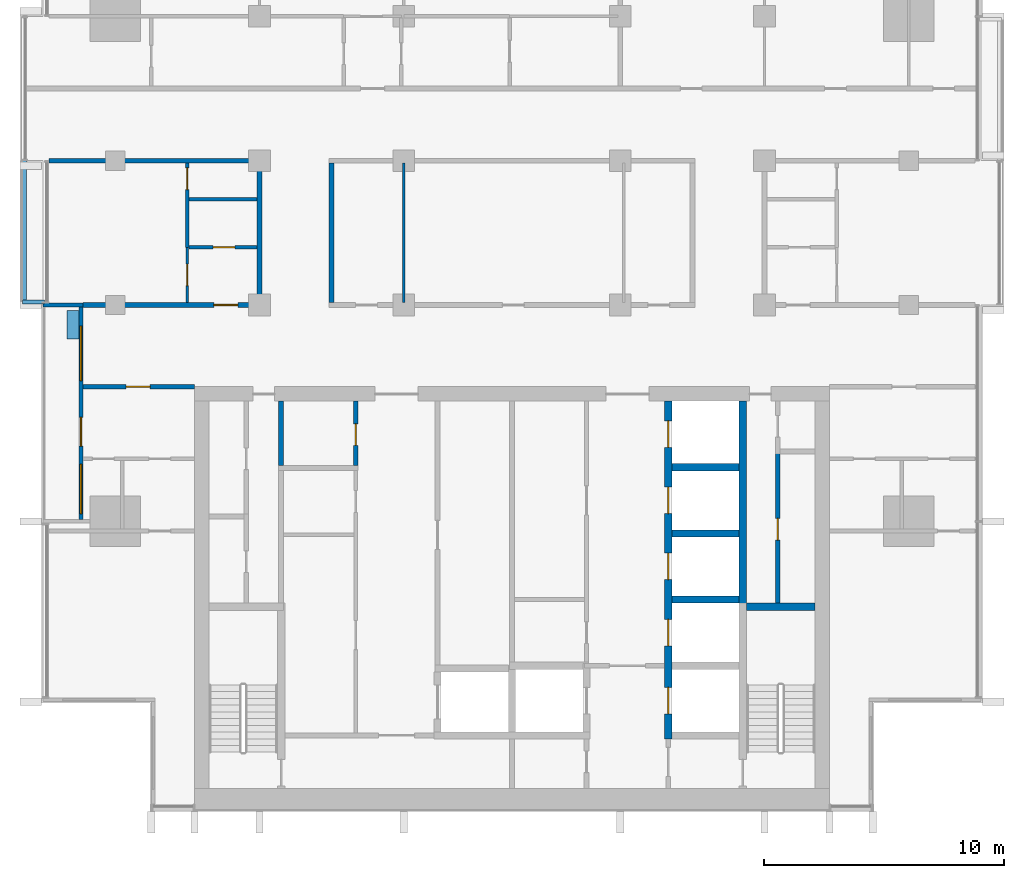
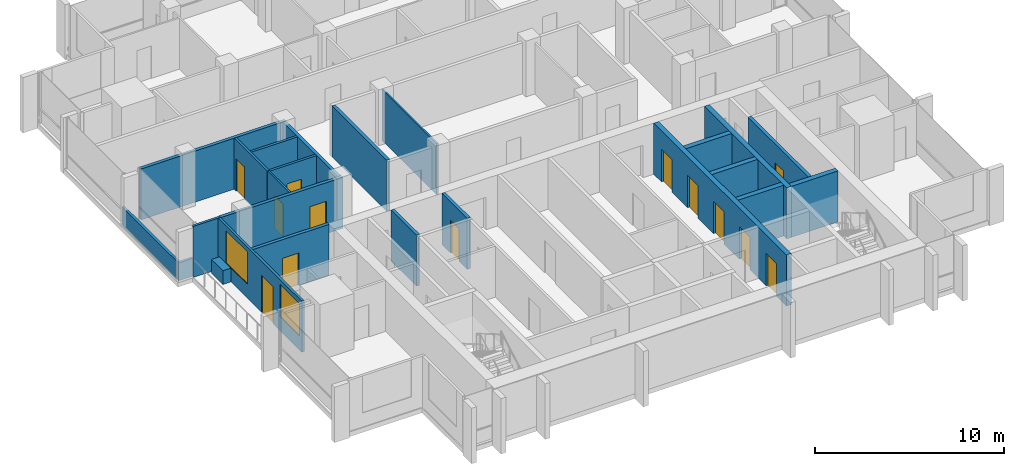
# One storey, part 8 of 16: 24 walls, 13 doors, 2 windows, 15 openings.
"""IFC4 building model written with IfcOpenShell, lengths in metres."""

import ifcopenshell
import ifcopenshell.guid

model = None  # the IFC model being written
_history = None  # IfcOwnerHistory: only IFC2X3 demands one
_inside = {}  # id of a spatial element -> (the spatial element, [elements in it])
_under = {}  # id of a project, library or spatial element -> (it, [spatial elements below it])
_declared = {}  # id of a project -> (the project, [libraries it declares])
_typed = {}  # id of a type object -> (the type object, [elements of that type])
_made_of = {}  # id of a material, layer set ... -> (it, [elements and type objects made of it])


def new_model(schema):
    """Start an empty IFC model of exactly this schema.

    Asked for "IFC4X3", IfcOpenShell would pick the latest addendum, in which some entities
    have other attributes; the version numbers below select the first issue.
    IFC2X3 requires an IfcOwnerHistory on every rooted entity: one is made here for all.
    """
    global model, _history
    if schema == "IFC4X3":
        model = ifcopenshell.file(schema_version=(4, 3, 0, 0))
    else:
        model = ifcopenshell.file(schema=schema)
    _inside.clear()
    _under.clear()
    _declared.clear()
    _typed.clear()
    _made_of.clear()
    _history = None
    if model.schema == "IFC2X3":
        org = make("IfcOrganization", Name="unknown")
        user = make(
            "IfcPersonAndOrganization",
            ThePerson=make("IfcPerson", FamilyName="unknown"),
            TheOrganization=org,
        )
        app = make(
            "IfcApplication",
            ApplicationDeveloper=org,
            Version="unknown",
            ApplicationFullName="unknown",
            ApplicationIdentifier="unknown",
        )
        _history = make(
            "IfcOwnerHistory",
            OwningUser=user,
            OwningApplication=app,
            ChangeAction="ADDED",
            CreationDate=0,
        )
    return model


def make(cls, **values):
    """One entity of the class cls with the attributes given. An attribute that is None is left unset."""
    return model.create_entity(
        cls, **{name: value for name, value in values.items() if value is not None}
    )


def rooted(cls, **values):
    """An entity with a GlobalId (a new one), such as an element, a storey or a relation."""
    return make(cls, GlobalId=ifcopenshell.guid.new(), OwnerHistory=_history, **values)


def si_unit(unit_type, name, prefix=None):
    """IfcSIUnit, for example si_unit("LENGTHUNIT", "METRE", prefix="MILLI")."""
    return make("IfcSIUnit", UnitType=unit_type, Prefix=prefix, Name=name)


def assignment(units):
    """IfcUnitAssignment: the units of a project."""
    return None if units is None else make("IfcUnitAssignment", Units=units)


def point(xyz):
    """IfcCartesianPoint."""
    return None if xyz is None else make("IfcCartesianPoint", Coordinates=xyz)


def direction(xyz):
    """IfcDirection."""
    return None if xyz is None else make("IfcDirection", DirectionRatios=xyz)


def frame(location, z_axis=None, x_axis=None):
    """IfcAxis2Placement3D, a coordinate frame: its origin and axes. An axis left out is left unset."""
    return make(
        "IfcAxis2Placement3D",
        Location=point(location),
        Axis=direction(z_axis),
        RefDirection=direction(x_axis),
    )


def frame_2d(location, x_axis=None):
    """IfcAxis2Placement2D, a coordinate frame in the plane: its origin and x axis."""
    return make(
        "IfcAxis2Placement2D", Location=point(location), RefDirection=direction(x_axis)
    )


def origin():
    """The frame at (0, 0, 0) with its axes left unset."""
    return frame((0.0, 0.0, 0.0))


def place(relative_to, where):
    """IfcLocalPlacement: puts the frame where relative to a parent placement (None: the world)."""
    return make(
        "IfcLocalPlacement", PlacementRelTo=relative_to, RelativePlacement=where
    )


def context(
    kind, dimensions, precision=None, world=None, true_north=None, identifier=None
):
    """IfcGeometricRepresentationContext, for example the 3D "Model" context."""
    return make(
        "IfcGeometricRepresentationContext",
        ContextIdentifier=identifier,
        ContextType=kind,
        CoordinateSpaceDimension=dimensions,
        Precision=precision,
        WorldCoordinateSystem=world,
        TrueNorth=true_north,
    )


def subcontext(parent, identifier, kind, view, scale=None):
    """IfcGeometricRepresentationSubContext, for example "Body" below "Model"."""
    return make(
        "IfcGeometricRepresentationSubContext",
        ContextIdentifier=identifier,
        ContextType=kind,
        ParentContext=parent,
        TargetScale=scale,
        TargetView=view,
    )


def project(units=None, contexts=None):
    """IfcProject with its units and contexts."""
    return rooted(
        "IfcProject",
        Name="project",
        RepresentationContexts=contexts,
        UnitsInContext=assignment(units),
    )


def spatial(cls, under=None, at=None, **own):
    """A site, building, storey or space (cls), placed at a placement, below another one or the project."""
    s = rooted(cls, ObjectPlacement=at, **own)
    if under is not None:
        _under.setdefault(under.id(), (under, []))[1].append(s)
    return s


def profile(cls, at=None, kind="AREA", **sizes):
    """A parametric profile (cls). Its sizes go by their IFC names, for example OverallWidth=200.0."""
    return make(cls, ProfileType=kind, Position=at, **sizes)


def rectangle(**sizes):
    """IfcRectangleProfileDef."""
    return profile("IfcRectangleProfileDef", **sizes)


def extrude(swept, where, along, depth):
    """IfcExtrudedAreaSolid: the profile swept, set in the frame where, extruded along a direction by depth."""
    return make(
        "IfcExtrudedAreaSolid",
        SweptArea=swept,
        Position=where,
        ExtrudedDirection=direction(along),
        Depth=depth,
    )


def shape(context_of_items, identifier, shape_type, items):
    """IfcShapeRepresentation: the items that make up one representation, for example the "Body"."""
    return make(
        "IfcShapeRepresentation",
        ContextOfItems=context_of_items,
        RepresentationIdentifier=identifier,
        RepresentationType=shape_type,
        Items=items,
    )


def material(Name=None, Category=None):
    """IfcMaterial."""
    return make("IfcMaterial", Name=Name, Category=Category)


def layer(
    of_material, thickness, ventilated=None, Name=None, Category=None, Priority=None
):
    """IfcMaterialLayer: one layer of a wall or slab, of a material (None: an air gap)."""
    return make(
        "IfcMaterialLayer",
        Material=of_material,
        LayerThickness=thickness,
        IsVentilated=ventilated,
        Name=Name,
        Category=Category,
        Priority=Priority,
    )


def layer_set(layers, Name=None):
    """IfcMaterialLayerSet."""
    return make("IfcMaterialLayerSet", MaterialLayers=layers, LayerSetName=Name)


def made_of(thing, what):
    """Note that an element or type object is made of a material, layer set ...; save() writes the relation."""
    if what is not None:
        _made_of.setdefault(what.id(), (what, []))[1].append(thing)
    return thing


def type_object(cls, material=None, **own):
    """A type object (cls), such as IfcWallType, which elements share."""
    return made_of(rooted(cls, **own), material)


def element(
    cls,
    number,
    at=None,
    inside=None,
    cuts=None,
    type_object=None,
    material=None,
    context=None,
    identifier="Body",
    shape_type=None,
    held_by="IfcProductDefinitionShape",
    body=None,
    shapes=None,
    **own,
):
    """One element of the class cls, such as IfcWall. Its Tag is "e" and its number.

    at: its placement. inside: the storey or other place that contains it. cuts: it is an
    opening in that element (IfcRelVoidsElement). A single representation is given by context,
    identifier, shape_type and body (its items); several are given by shapes. held_by: the class
    of the entity that holds the representations. save() writes the other relations.
    """
    e = rooted(cls, Tag="e%d" % number, ObjectPlacement=at, **own)
    if body is not None:
        shapes = [shape(context, identifier, shape_type, body)]
    if shapes is not None:
        e.Representation = make(held_by, Representations=shapes)
    if inside is not None:
        _inside.setdefault(inside.id(), (inside, []))[1].append(e)
    if cuts is not None:
        rooted(
            "IfcRelVoidsElement", RelatingBuildingElement=cuts, RelatedOpeningElement=e
        )
    if type_object is not None:
        _typed.setdefault(type_object.id(), (type_object, []))[1].append(e)
    return made_of(e, material)


def fill(opening, filler):
    """IfcRelFillsElement: the door or window that sits in an opening."""
    return rooted(
        "IfcRelFillsElement",
        RelatingOpeningElement=opening,
        RelatedBuildingElement=filler,
    )


def aggregate(whole, parts):
    """IfcRelAggregates: a whole, such as a stair, and the parts it consists of."""
    return rooted("IfcRelAggregates", RelatingObject=whole, RelatedObjects=parts)


def save(model, path):
    """Write the relations noted so far, then the file.

    IfcRelAggregates (storeys below a building ...), IfcRelContainedInSpatialStructure (elements
    in a storey), IfcRelDefinesByType, IfcRelAssociatesMaterial and IfcRelDeclares: one each for
    every whole, place, type object, material and project.
    """
    for whole, parts in _under.values():
        aggregate(whole, parts)
    for where, things in _inside.values():
        rooted(
            "IfcRelContainedInSpatialStructure",
            RelatedElements=things,
            RelatingStructure=where,
        )
    for kind, things in _typed.values():
        rooted("IfcRelDefinesByType", RelatedObjects=things, RelatingType=kind)
    for what, things in _made_of.values():
        rooted("IfcRelAssociatesMaterial", RelatedObjects=things, RelatingMaterial=what)
    for by, libraries in _declared.values():
        rooted("IfcRelDeclares", RelatingContext=by, RelatedDefinitions=libraries)
    model.write(path)


model = new_model("IFC4")

# Units and contexts
model_context = context("Model", 3, precision=1e-05, world=origin(), true_north=direction((0.0, 1.0)))
body_context = subcontext(model_context, "Body", "Model", "MODEL_VIEW")
ifc_project = project(units=[si_unit("LENGTHUNIT", "METRE"), si_unit("AREAUNIT", "SQUARE_METRE"), si_unit("VOLUMEUNIT", "CUBIC_METRE"), si_unit("PLANEANGLEUNIT", "RADIAN"), si_unit("MASSUNIT", "GRAM", prefix="KILO")], contexts=[model_context])

# Site, building, storey
site_placement = place(None, origin())
site = spatial("IfcSite", under=ifc_project, at=site_placement, CompositionType="ELEMENT")
building_placement = place(site_placement, origin())
building = spatial("IfcBuilding", under=site, at=building_placement, Name="Finial Court Residences", CompositionType="ELEMENT")
storey_placement = place(building_placement, frame((0.0, 0.0, 230.300048828125)))
storey = spatial("IfcBuildingStorey", under=building, at=storey_placement, Name="L58", CompositionType="ELEMENT", Elevation=230.300048828125)

# Wall, opening, door
ifc_material_1 = material(Name="Gypsum board")
ifc_layer_1 = layer(ifc_material_1, 0.02490234375)
ifc_material_2 = material(Name="Acoustic mineral wool in double frame")
ifc_layer_2 = layer(ifc_material_2, 0.14990234375)
ifc_layer_3 = layer(ifc_material_1, 0.02490234375)
ifc_layer_set_1 = layer_set([ifc_layer_1, ifc_layer_2, ifc_layer_3], Name="Corridor wall 200, 1 hour")
wall_type_1 = type_object("IfcWallType", Name="Corridor wall 200, 1 hour", PredefinedType="PARTITIONING", material=ifc_layer_set_1)
wall_1_placement = place(storey_placement, frame((-17.85009765625, -7.89990234375, 0.0), z_axis=(0.0, 0.0, 1.0), x_axis=(1.0, 0.0, 0.0)))
wall_1 = element("IfcWall", 1, at=wall_1_placement, inside=storey, type_object=wall_type_1, Name="Partition L58-004", PredefinedType="PARTITIONING", context=body_context, shape_type="SweptSolid", body=[
    extrude(rectangle(XDim=4.650146484375, YDim=0.199951171875, at=frame_2d((2.3251953125, 0.0))), origin(), (0.0, 0.0, 1.0), 3.300048828125),
])
opening_1_placement = place(wall_1_placement, frame((1.800048828125, 0.0, 0.0)))
opening_1 = element("IfcOpeningElement", 2, at=opening_1_placement, cuts=wall_1, Name="Opening L58-D007", PredefinedType="OPENING", context=body_context, shape_type="SweptSolid", body=[
    extrude(rectangle(XDim=1.0, YDim=2.10009765625, at=frame_2d((0.5, 1.050048828125))), frame((0.0, 0.10986328125, 0.0), z_axis=(0.0, -1.0, 0.0), x_axis=(1.0, 0.0, 0.0)), (0.0, 0.0, 1.0), 0.219970703125),
])
ifc_material_3 = material(Name="Timber door leaf in hollow metal frame", Category="wood")
door_type_1 = type_object("IfcDoorType", Name="Fire door set 1000 x 2100, 30 minutes", OperationType="SINGLE_SWING_LEFT", PredefinedType="DOOR", material=ifc_material_3)
door_1_placement = place(opening_1_placement, origin())
door_1 = element("IfcDoor", 3, at=door_1_placement, inside=storey, type_object=door_type_1, Name="Door L58-D007", OperationType="SINGLE_SWING_LEFT", OverallHeight=2.10009765625, OverallWidth=1.0, PredefinedType="DOOR", context=body_context, shape_type="SweptSolid", body=[
    extrude(rectangle(XDim=1.0, YDim=2.10009765625, at=frame_2d((0.5, 1.050048828125))), frame((0.0, 0.02490234375, 0.0), z_axis=(0.0, -1.0, 0.0), x_axis=(1.0, 0.0, 0.0)), (0.0, 0.0, 1.0), 0.050048828125),
])
fill(opening_1, door_1)

wall_2_placement = place(storey_placement, frame((-17.85009765625, -4.5, 0.0), z_axis=(0.0, 0.0, 1.0), x_axis=(1.0, 0.0, 0.0)))
wall_2 = element("IfcWall", 4, at=wall_2_placement, inside=storey, type_object=wall_type_1, Name="Partition L58-006", PredefinedType="PARTITIONING", context=body_context, shape_type="SweptSolid", body=[
    extrude(rectangle(XDim=7.4501953125, YDim=0.199951171875, at=frame_2d((3.72509765625, 0.0))), origin(), (0.0, 0.0, 1.0), 3.300048828125),
])
opening_2_placement = place(wall_2_placement, frame((5.449951171875, 0.0, 0.0)))
opening_2 = element("IfcOpeningElement", 5, at=opening_2_placement, cuts=wall_2, Name="Opening L58-D009", PredefinedType="OPENING", context=body_context, shape_type="SweptSolid", body=[
    extrude(rectangle(XDim=1.0, YDim=2.10009765625, at=frame_2d((0.5, 1.050048828125))), frame((0.0, 0.10986328125, 0.0), z_axis=(0.0, -1.0, 0.0), x_axis=(1.0, 0.0, 0.0)), (0.0, 0.0, 1.0), 0.219970703125),
])
door_2_placement = place(opening_2_placement, origin())
door_2 = element("IfcDoor", 6, at=door_2_placement, inside=storey, type_object=door_type_1, Name="Door L58-D009", OperationType="SINGLE_SWING_LEFT", OverallHeight=2.10009765625, OverallWidth=1.0, PredefinedType="DOOR", context=body_context, shape_type="SweptSolid", body=[
    extrude(rectangle(XDim=1.0, YDim=2.10009765625, at=frame_2d((0.5, 1.050048828125))), frame((0.0, 0.02490234375, 0.0), z_axis=(0.0, -1.0, 0.0), x_axis=(1.0, 0.0, 0.0)), (0.0, 0.0, 1.0), 0.050048828125),
])
fill(opening_2, door_2)

# Walls
wall_3_placement = place(storey_placement, frame((-19.262451171875, 1.5, 0.0), z_axis=(0.0, 0.0, 1.0), x_axis=(1.0, 0.0, 0.0)))
element("IfcWall", 7, at=wall_3_placement, inside=storey, type_object=wall_type_1, Name="Partition L58-013", PredefinedType="PARTITIONING", context=body_context, shape_type="SweptSolid", body=[
    extrude(rectangle(XDim=8.862548828125, YDim=0.199951171875, at=frame_2d((4.43115234375, 0.0))), origin(), (0.0, 0.0, 1.0), 3.300048828125),
])
for number, where, z_axis, x_axis, name in (
    (8, (-10.5, -4.39990234375, 0.0), (0.0, 0.0, 1.0), (0.0, 1.0, 0.0), "Partition L58-027"),
    (9, (-7.5, -4.39990234375, 0.0), (0.0, 0.0, 1.0), (0.0, 1.0, 0.0), "Partition L58-029"),
):
    element("IfcWall", number, at=place(storey_placement, frame(where, z_axis=z_axis, x_axis=x_axis)), inside=storey, type_object=wall_type_1, Name=name, PredefinedType="PARTITIONING", context=body_context, shape_type="SweptSolid", body=[
        extrude(rectangle(XDim=5.7998046875, YDim=0.199951171875, at=frame_2d((2.89990234375, 0.0))), origin(), (0.0, 0.0, 1.0), 3.300048828125),
    ])

# Wall, opening, door
ifc_layer_4 = layer(ifc_material_1, 0.012451171875)
ifc_material_4 = material(Name="Mineral wool in light-gauge frame")
ifc_layer_5 = layer(ifc_material_4, 0.074951171875)
ifc_layer_6 = layer(ifc_material_1, 0.012451171875)
ifc_layer_set_2 = layer_set([ifc_layer_4, ifc_layer_5, ifc_layer_6], Name="Gypsum board partition 100")
wall_type_2 = type_object("IfcWallType", Name="Gypsum board partition 100", PredefinedType="PARTITIONING", material=ifc_layer_set_2)
wall_4_placement = place(storey_placement, frame((-13.5, -4.39990234375, 0.0), z_axis=(0.0, 0.0, 1.0), x_axis=(0.0, 1.0, 0.0)))
wall_4 = element("IfcWall", 10, at=wall_4_placement, inside=storey, type_object=wall_type_2, Name="Partition L58-025", PredefinedType="PARTITIONING", context=body_context, shape_type="SweptSolid", body=[
    extrude(rectangle(XDim=2.2998046875, YDim=0.10009765625, at=frame_2d((1.14990234375, 0.0))), origin(), (0.0, 0.0, 1.0), 3.300048828125),
])
opening_3_placement = place(wall_4_placement, frame((0.699951171875, 0.0, 0.0)))
opening_3 = element("IfcOpeningElement", 11, at=opening_3_placement, cuts=wall_4, Name="Opening L58-D024", PredefinedType="OPENING", context=body_context, shape_type="SweptSolid", body=[
    extrude(rectangle(XDim=0.89990234375, YDim=2.10009765625, at=frame_2d((0.449951171875, 1.050048828125))), frame((0.0, 0.06005859375, 0.0), z_axis=(0.0, -1.0, 0.0), x_axis=(1.0, 0.0, 0.0)), (0.0, 0.0, 1.0), 0.1201171875),
])
ifc_material_5 = material(Name="Timber door leaf in timber frame", Category="wood")
door_type_2 = type_object("IfcDoorType", Name="Door set 900 x 2100", OperationType="SINGLE_SWING_LEFT", PredefinedType="DOOR", material=ifc_material_5)
door_3_placement = place(opening_3_placement, origin())
door_3 = element("IfcDoor", 12, at=door_3_placement, inside=storey, type_object=door_type_2, Name="Door L58-D024", OperationType="SINGLE_SWING_RIGHT", OverallHeight=2.10009765625, OverallWidth=0.89990234375, PredefinedType="DOOR", context=body_context, shape_type="SweptSolid", body=[
    extrude(rectangle(XDim=0.89990234375, YDim=2.10009765625, at=frame_2d((0.449951171875, 1.050048828125))), frame((0.0, 0.02490234375, 0.0), z_axis=(0.0, -1.0, 0.0), x_axis=(1.0, 0.0, 0.0)), (0.0, 0.0, 1.0), 0.050048828125),
])
fill(opening_3, door_3)

# Wall
wall_5_placement = place(storey_placement, frame((-4.5, -4.39990234375, 0.0), z_axis=(0.0, 0.0, 1.0), x_axis=(0.0, 1.0, 0.0)))
element("IfcWall", 13, at=wall_5_placement, inside=storey, type_object=wall_type_2, Name="Partition L58-032", PredefinedType="PARTITIONING", context=body_context, shape_type="SweptSolid", body=[
    extrude(rectangle(XDim=5.7998046875, YDim=0.10009765625, at=frame_2d((2.89990234375, 0.0))), origin(), (0.0, 0.0, 1.0), 3.300048828125),
])

# Wall, opening, door
ifc_material_6 = material(Name="Moisture-resistant gypsum board")
ifc_layer_7 = layer(ifc_material_6, 0.012451171875)
ifc_layer_8 = layer(ifc_material_4, 0.125)
ifc_layer_9 = layer(ifc_material_6, 0.012451171875)
ifc_layer_set_3 = layer_set([ifc_layer_7, ifc_layer_8, ifc_layer_9], Name="Gypsum board wet-area partition 150")
wall_type_3 = type_object("IfcWallType", Name="Gypsum board wet-area partition 150", PredefinedType="PARTITIONING", material=ifc_layer_set_3)
wall_6_placement = place(storey_placement, frame((-13.425048828125, -2.10009765625, 0.0), z_axis=(0.0, 0.0, 1.0), x_axis=(1.0, 0.0, 0.0)))
wall_6 = element("IfcWall", 14, at=wall_6_placement, inside=storey, type_object=wall_type_3, Name="Partition L58-009", PredefinedType="PARTITIONING", context=body_context, shape_type="SweptSolid", body=[
    extrude(rectangle(XDim=2.824951171875, YDim=0.14990234375, at=frame_2d((1.41259765625, 0.0))), origin(), (0.0, 0.0, 1.0), 3.300048828125),
])
opening_4_placement = place(wall_6_placement, frame((1.0, 0.0, 0.0)))
opening_4 = element("IfcOpeningElement", 15, at=opening_4_placement, cuts=wall_6, Name="Opening L58-D014", PredefinedType="OPENING", context=body_context, shape_type="SweptSolid", body=[
    extrude(rectangle(XDim=0.89990234375, YDim=2.10009765625, at=frame_2d((0.449951171875, 1.050048828125))), frame((0.0, 0.0849609375, 0.0), z_axis=(0.0, -1.0, 0.0), x_axis=(1.0, 0.0, 0.0)), (0.0, 0.0, 1.0), 0.169921875),
])
door_4_placement = place(opening_4_placement, origin())
door_4 = element("IfcDoor", 16, at=door_4_placement, inside=storey, type_object=door_type_2, Name="Door L58-D014", OperationType="SINGLE_SWING_RIGHT", OverallHeight=2.10009765625, OverallWidth=0.89990234375, PredefinedType="DOOR", context=body_context, shape_type="SweptSolid", body=[
    extrude(rectangle(XDim=0.89990234375, YDim=2.10009765625, at=frame_2d((0.449951171875, 1.050048828125))), frame((0.0, 0.02490234375, 0.0), z_axis=(0.0, -1.0, 0.0), x_axis=(1.0, 0.0, 0.0)), (0.0, 0.0, 1.0), 0.050048828125),
])
fill(opening_4, door_4)

# Wall
wall_7_placement = place(storey_placement, frame((-13.425048828125, -0.10009765625, 0.0), z_axis=(0.0, 0.0, 1.0), x_axis=(1.0, 0.0, 0.0)))
element("IfcWall", 17, at=wall_7_placement, inside=storey, type_object=wall_type_3, Name="Partition L58-011", PredefinedType="PARTITIONING", context=body_context, shape_type="SweptSolid", body=[
    extrude(rectangle(XDim=2.824951171875, YDim=0.14990234375, at=frame_2d((1.41259765625, 0.0))), origin(), (0.0, 0.0, 1.0), 3.300048828125),
])

# Wall, opening, door
wall_8_placement = place(storey_placement, frame((-13.5, -2.10009765625, 0.0), z_axis=(0.0, 0.0, 1.0), x_axis=(0.0, 1.0, 0.0)))
wall_8 = element("IfcWall", 18, at=wall_8_placement, inside=storey, type_object=wall_type_3, Name="Partition L58-026", PredefinedType="PARTITIONING", context=body_context, shape_type="SweptSolid", body=[
    extrude(rectangle(XDim=3.5, YDim=0.14990234375, at=frame_2d((1.75, 0.0))), origin(), (0.0, 0.0, 1.0), 3.300048828125),
])
opening_5_placement = place(wall_8_placement, frame((2.39990234375, 0.0, 0.0)))
opening_5 = element("IfcOpeningElement", 19, at=opening_5_placement, cuts=wall_8, Name="Opening L58-D025", PredefinedType="OPENING", context=body_context, shape_type="SweptSolid", body=[
    extrude(rectangle(XDim=0.89990234375, YDim=2.10009765625, at=frame_2d((0.449951171875, 1.050048828125))), frame((0.0, 0.0849609375, 0.0), z_axis=(0.0, -1.0, 0.0), x_axis=(1.0, 0.0, 0.0)), (0.0, 0.0, 1.0), 0.169921875),
])
door_5_placement = place(opening_5_placement, origin())
door_5 = element("IfcDoor", 20, at=door_5_placement, inside=storey, type_object=door_type_2, Name="Door L58-D025", OperationType="SINGLE_SWING_RIGHT", OverallHeight=2.10009765625, OverallWidth=0.89990234375, PredefinedType="DOOR", context=body_context, shape_type="SweptSolid", body=[
    extrude(rectangle(XDim=0.89990234375, YDim=2.10009765625, at=frame_2d((0.449951171875, 1.050048828125))), frame((0.0, 0.02490234375, 0.0), z_axis=(0.0, -1.0, 0.0), x_axis=(1.0, 0.0, 0.0)), (0.0, 0.0, 1.0), 0.050048828125),
])
fill(opening_5, door_5)

# Walls
ifc_material_7 = material(Name="Concrete C35/45", Category="concrete")
ifc_layer_10 = layer(ifc_material_7, 0.14990234375)
ifc_layer_set_4 = layer_set([ifc_layer_10], Name="Ledge parapet, Concrete C35/45 150")
wall_type_4 = type_object("IfcWallType", Name="Ledge parapet, Concrete C35/45 150", PredefinedType="PARAPET", material=ifc_layer_set_4)
wall_9_placement = place(storey_placement, frame((-19.447509765625, -4.375, 0.0), z_axis=(0.0, 0.0, 1.0), x_axis=(-1.0, 0.0, 0.0)))
element("IfcWall", 21, at=wall_9_placement, inside=storey, type_object=wall_type_4, Name="E-L58-LED1-P1", PredefinedType="PARAPET", context=body_context, shape_type="SweptSolid", body=[
    extrude(rectangle(XDim=0.902587890625, YDim=0.14990234375, at=frame_2d((0.451171875, 0.0))), origin(), (0.0, 0.0, 1.0), 1.14990234375),
])
wall_10_placement = place(storey_placement, frame((-20.27490234375, -4.300048828125, 0.0), z_axis=(0.0, 0.0, 1.0), x_axis=(0.0, 1.0, 0.0)))
element("IfcWall", 22, at=wall_10_placement, inside=storey, type_object=wall_type_4, Name="E-L58-LED1-P2", PredefinedType="PARAPET", context=body_context, shape_type="SweptSolid", body=[
    extrude(rectangle(XDim=5.8525390625, YDim=0.14990234375, at=frame_2d((2.92626953125, 0.0))), origin(), (0.0, 0.0, 1.0), 1.14990234375),
])
ifc_material_8 = material(Name="Concrete C60/75", Category="concrete")
ifc_layer_11 = layer(ifc_material_8, 0.300048828125)
ifc_layer_set_5 = layer_set([ifc_layer_11], Name="Lift shaft and stair wall 300 Concrete C60/75")
wall_type_5 = type_object("IfcWallType", Name="Lift shaft and stair wall 300 Concrete C60/75", PredefinedType="SHEAR", material=ifc_layer_set_5)
wall_11_placement = place(storey_placement, frame((9.75, -17.050048828125, 0.0), z_axis=(0.0, 0.0, 1.0), x_axis=(1.0, 0.0, 0.0)))
element("IfcWall", 23, at=wall_11_placement, inside=storey, type_object=wall_type_5, Name="Core wall L58-09", PredefinedType="SHEAR", context=body_context, shape_type="SweptSolid", body=[
    extrude(rectangle(XDim=2.85009765625, YDim=0.300048828125, at=frame_2d((1.425048828125, 0.0))), origin(), (0.0, 0.0, 1.0), 3.300048828125),
])
for number, where, z_axis, x_axis, name in (
    (24, (6.64990234375, -16.75, 0.0), (0.0, 0.0, 1.0), (1.0, 0.0, 0.0), "Core wall L58-11"),
    (25, (6.64990234375, -14.0, 0.0), (0.0, 0.0, 1.0), (1.0, 0.0, 0.0), "Core wall L58-13"),
    (26, (6.64990234375, -11.25, 0.0), (0.0, 0.0, 1.0), (1.0, 0.0, 0.0), "Core wall L58-16"),
):
    element("IfcWall", number, at=place(storey_placement, frame(where, z_axis=z_axis, x_axis=x_axis)), inside=storey, type_object=wall_type_5, Name=name, PredefinedType="SHEAR", context=body_context, shape_type="SweptSolid", body=[
        extrude(rectangle(XDim=2.800048828125, YDim=0.300048828125, at=frame_2d((1.39990234375, 0.0))), origin(), (0.0, 0.0, 1.0), 3.300048828125),
    ])

# Wall, openings, doors
wall_12_placement = place(storey_placement, frame((6.5, -22.550048828125, 0.0), z_axis=(0.0, 0.0, 1.0), x_axis=(0.0, 1.0, 0.0)))
wall_12 = element("IfcWall", 27, at=wall_12_placement, inside=storey, type_object=wall_type_5, Name="Core wall L58-34", PredefinedType="SHEAR", context=body_context, shape_type="SweptSolid", body=[
    extrude(rectangle(XDim=14.050048828125, YDim=0.300048828125, at=frame_2d((7.02490234375, 0.0))), origin(), (0.0, 0.0, 1.0), 3.300048828125),
])
opening_6_placement = place(wall_12_placement, frame((1.050048828125, 0.0, 0.0)))
opening_6 = element("IfcOpeningElement", 28, at=opening_6_placement, cuts=wall_12, Name="Opening L58-LD02", PredefinedType="OPENING", context=body_context, shape_type="SweptSolid", body=[
    extrude(rectangle(XDim=1.10009765625, YDim=2.10009765625, at=frame_2d((0.550048828125, 1.050048828125))), frame((0.0, 0.159912109375, 0.0), z_axis=(0.0, -1.0, 0.0), x_axis=(1.0, 0.0, 0.0)), (0.0, 0.0, 1.0), 0.320068359375),
])
opening_7_placement = place(wall_12_placement, frame((3.875, 0.0, 0.0)))
opening_7 = element("IfcOpeningElement", 29, at=opening_7_placement, cuts=wall_12, Name="Opening L58-LD03", PredefinedType="OPENING", context=body_context, shape_type="SweptSolid", body=[
    extrude(rectangle(XDim=1.10009765625, YDim=2.10009765625, at=frame_2d((0.550048828125, 1.050048828125))), frame((0.0, 0.159912109375, 0.0), z_axis=(0.0, -1.0, 0.0), x_axis=(1.0, 0.0, 0.0)), (0.0, 0.0, 1.0), 0.320068359375),
])
opening_8_placement = place(wall_12_placement, frame((6.625, 0.0, 0.0)))
opening_8 = element("IfcOpeningElement", 30, at=opening_8_placement, cuts=wall_12, Name="Opening L58-LD04", PredefinedType="OPENING", context=body_context, shape_type="SweptSolid", body=[
    extrude(rectangle(XDim=1.10009765625, YDim=2.10009765625, at=frame_2d((0.550048828125, 1.050048828125))), frame((0.0, 0.159912109375, 0.0), z_axis=(0.0, -1.0, 0.0), x_axis=(1.0, 0.0, 0.0)), (0.0, 0.0, 1.0), 0.320068359375),
])
opening_9_placement = place(wall_12_placement, frame((9.375, 0.0, 0.0)))
opening_9 = element("IfcOpeningElement", 31, at=opening_9_placement, cuts=wall_12, Name="Opening L58-LD05", PredefinedType="OPENING", context=body_context, shape_type="SweptSolid", body=[
    extrude(rectangle(XDim=1.10009765625, YDim=2.10009765625, at=frame_2d((0.550048828125, 1.050048828125))), frame((0.0, 0.159912109375, 0.0), z_axis=(0.0, -1.0, 0.0), x_axis=(1.0, 0.0, 0.0)), (0.0, 0.0, 1.0), 0.320068359375),
])
opening_10_placement = place(wall_12_placement, frame((12.125, 0.0, 0.0)))
opening_10 = element("IfcOpeningElement", 32, at=opening_10_placement, cuts=wall_12, Name="Opening L58-LD06", PredefinedType="OPENING", context=body_context, shape_type="SweptSolid", body=[
    extrude(rectangle(XDim=1.10009765625, YDim=2.10009765625, at=frame_2d((0.550048828125, 1.050048828125))), frame((0.0, 0.159912109375, 0.0), z_axis=(0.0, -1.0, 0.0), x_axis=(1.0, 0.0, 0.0)), (0.0, 0.0, 1.0), 0.320068359375),
])
ifc_material_9 = material(Name="Stainless steel lift door", Category="steel")
door_type_3 = type_object("IfcDoorType", Name="Lift landing door 1100 x 2100 EI 90", OperationType="DOUBLE_DOOR_SLIDING", PredefinedType="DOOR", material=ifc_material_9)
door_6_placement = place(opening_6_placement, origin())
door_6 = element("IfcDoor", 33, at=door_6_placement, inside=storey, type_object=door_type_3, Name="Lift landing door FF2 L58", OperationType="DOUBLE_DOOR_SLIDING", OverallHeight=2.10009765625, OverallWidth=1.10009765625, PredefinedType="DOOR", context=body_context, shape_type="SweptSolid", body=[
    extrude(rectangle(XDim=1.10009765625, YDim=2.10009765625, at=frame_2d((0.550048828125, 1.050048828125))), frame((0.0, 0.02490234375, 0.0), z_axis=(0.0, -1.0, 0.0), x_axis=(1.0, 0.0, 0.0)), (0.0, 0.0, 1.0), 0.050048828125),
])
fill(opening_6, door_6)
door_7_placement = place(opening_7_placement, origin())
door_7 = element("IfcDoor", 34, at=door_7_placement, inside=storey, type_object=door_type_3, Name="Lift landing door HR5 L58", OperationType="DOUBLE_DOOR_SLIDING", OverallHeight=2.10009765625, OverallWidth=1.10009765625, PredefinedType="DOOR", context=body_context, shape_type="SweptSolid", body=[
    extrude(rectangle(XDim=1.10009765625, YDim=2.10009765625, at=frame_2d((0.550048828125, 1.050048828125))), frame((0.0, 0.02490234375, 0.0), z_axis=(0.0, -1.0, 0.0), x_axis=(1.0, 0.0, 0.0)), (0.0, 0.0, 1.0), 0.050048828125),
])
fill(opening_7, door_7)
door_8_placement = place(opening_8_placement, origin())
door_8 = element("IfcDoor", 35, at=door_8_placement, inside=storey, type_object=door_type_3, Name="Lift landing door HR6 L58", OperationType="DOUBLE_DOOR_SLIDING", OverallHeight=2.10009765625, OverallWidth=1.10009765625, PredefinedType="DOOR", context=body_context, shape_type="SweptSolid", body=[
    extrude(rectangle(XDim=1.10009765625, YDim=2.10009765625, at=frame_2d((0.550048828125, 1.050048828125))), frame((0.0, 0.02490234375, 0.0), z_axis=(0.0, -1.0, 0.0), x_axis=(1.0, 0.0, 0.0)), (0.0, 0.0, 1.0), 0.050048828125),
])
fill(opening_8, door_8)
door_9_placement = place(opening_9_placement, origin())
door_9 = element("IfcDoor", 36, at=door_9_placement, inside=storey, type_object=door_type_3, Name="Lift landing door HR7 L58", OperationType="DOUBLE_DOOR_SLIDING", OverallHeight=2.10009765625, OverallWidth=1.10009765625, PredefinedType="DOOR", context=body_context, shape_type="SweptSolid", body=[
    extrude(rectangle(XDim=1.10009765625, YDim=2.10009765625, at=frame_2d((0.550048828125, 1.050048828125))), frame((0.0, 0.02490234375, 0.0), z_axis=(0.0, -1.0, 0.0), x_axis=(1.0, 0.0, 0.0)), (0.0, 0.0, 1.0), 0.050048828125),
])
fill(opening_9, door_9)
door_10_placement = place(opening_10_placement, origin())
door_10 = element("IfcDoor", 37, at=door_10_placement, inside=storey, type_object=door_type_3, Name="Lift landing door HR8 L58", OperationType="DOUBLE_DOOR_SLIDING", OverallHeight=2.10009765625, OverallWidth=1.10009765625, PredefinedType="DOOR", context=body_context, shape_type="SweptSolid", body=[
    extrude(rectangle(XDim=1.10009765625, YDim=2.10009765625, at=frame_2d((0.550048828125, 1.050048828125))), frame((0.0, 0.02490234375, 0.0), z_axis=(0.0, -1.0, 0.0), x_axis=(1.0, 0.0, 0.0)), (0.0, 0.0, 1.0), 0.050048828125),
])
fill(opening_10, door_10)

# Walls
wall_13_placement = place(storey_placement, frame((9.60009765625, -17.199951171875, 0.0), z_axis=(0.0, 0.0, 1.0), x_axis=(0.0, 1.0, 0.0)))
element("IfcWall", 38, at=wall_13_placement, inside=storey, type_object=wall_type_5, Name="Core wall L58-36", PredefinedType="SHEAR", context=body_context, shape_type="SweptSolid", body=[
    extrude(rectangle(XDim=8.699951171875, YDim=0.300048828125, at=frame_2d((4.35009765625, 0.0))), origin(), (0.0, 0.0, 1.0), 3.300048828125),
])
ifc_material_10 = material(Name="Natural limestone", Category="masonry")
ifc_layer_12 = layer(ifc_material_10, 0.14990234375)
ifc_layer_set_6 = layer_set([ifc_layer_12], Name="Limestone clad wall 150")
wall_type_6 = type_object("IfcWallType", Name="Limestone clad wall 150", PredefinedType="SOLIDWALL", material=ifc_layer_set_6)
wall_14_placement = place(storey_placement, frame((-17.85009765625, -4.5, 0.0), z_axis=(0.0, 0.0, 1.0), x_axis=(-1.0, 0.0, 0.0)))
element("IfcWall", 39, at=wall_14_placement, inside=storey, type_object=wall_type_6, Name="E-L58-BALW2-P2", PredefinedType="SOLIDWALL", context=body_context, shape_type="SweptSolid", body=[
    extrude(rectangle(XDim=1.64990234375, YDim=0.14990234375, at=frame_2d((0.824951171875, 0.0))), origin(), (0.0, 0.0, 1.0), 3.300048828125),
])

# Wall, openings, door, windows
wall_15_placement = place(storey_placement, frame((-17.925048828125, -13.425048828125, 0.0), z_axis=(0.0, 0.0, 1.0), x_axis=(0.0, 1.0, 0.0)))
wall_15 = element("IfcWall", 40, at=wall_15_placement, inside=storey, type_object=wall_type_6, Name="E-L58-L58-BALW2-W", PredefinedType="SOLIDWALL", context=body_context, shape_type="SweptSolid", body=[
    extrude(rectangle(XDim=8.85009765625, YDim=0.14990234375, at=frame_2d((4.425048828125, 0.0))), origin(), (0.0, 0.0, 1.0), 3.300048828125),
])
opening_11_placement = place(wall_15_placement, frame((3.050048828125, 0.0, 0.0)))
opening_11 = element("IfcOpeningElement", 41, at=opening_11_placement, cuts=wall_15, Name="Opening DE58-02", PredefinedType="OPENING", context=body_context, shape_type="SweptSolid", body=[
    extrude(rectangle(XDim=1.199951171875, YDim=2.39990234375, at=frame_2d((0.60009765625, 1.199951171875))), frame((0.0, 0.0849609375, 0.0), z_axis=(0.0, -1.0, 0.0), x_axis=(1.0, 0.0, 0.0)), (0.0, 0.0, 1.0), 0.169921875),
])
opening_12_placement = place(wall_15_placement, frame((0.25, 0.0, 0.89990234375)))
opening_12 = element("IfcOpeningElement", 42, at=opening_12_placement, cuts=wall_15, Name="Opening WE58-11", PredefinedType="OPENING", context=body_context, shape_type="SweptSolid", body=[
    extrude(rectangle(XDim=2.050048828125, YDim=2.10009765625, at=frame_2d((1.02490234375, 1.050048828125))), frame((0.0, 0.0849609375, 0.0), z_axis=(0.0, -1.0, 0.0), x_axis=(1.0, 0.0, 0.0)), (0.0, 0.0, 1.0), 0.169921875),
])
opening_13_placement = place(wall_15_placement, frame((5.77490234375, 0.0, 0.89990234375)))
opening_13 = element("IfcOpeningElement", 43, at=opening_13_placement, cuts=wall_15, Name="Opening WE58-12", PredefinedType="OPENING", context=body_context, shape_type="SweptSolid", body=[
    extrude(rectangle(XDim=2.27490234375, YDim=2.10009765625, at=frame_2d((1.137451171875, 1.050048828125))), frame((0.0, 0.0849609375, 0.0), z_axis=(0.0, -1.0, 0.0), x_axis=(1.0, 0.0, 0.0)), (0.0, 0.0, 1.0), 0.169921875),
])
ifc_material_11 = material(Name="Bronze anodised aluminium", Category="aluminium")
door_type_4 = type_object("IfcDoorType", Name="Balcony door 1200 x 2400", OperationType="SINGLE_SWING_LEFT", PredefinedType="DOOR", material=ifc_material_11)
door_11_placement = place(opening_11_placement, origin())
door_11 = element("IfcDoor", 44, at=door_11_placement, inside=storey, type_object=door_type_4, Name="E-L58-L58-BALW2-W-D", OperationType="SINGLE_SWING_LEFT", OverallHeight=2.39990234375, OverallWidth=1.199951171875, PredefinedType="DOOR", context=body_context, shape_type="SweptSolid", body=[
    extrude(rectangle(XDim=1.199951171875, YDim=2.39990234375, at=frame_2d((0.60009765625, 1.199951171875))), frame((0.0, 0.02490234375, 0.0), z_axis=(0.0, -1.0, 0.0), x_axis=(1.0, 0.0, 0.0)), (0.0, 0.0, 1.0), 0.050048828125),
])
fill(opening_11, door_11)
ifc_material_12 = material(Name="Clear low-e glass", Category="glass")
window_type_1 = type_object("IfcWindowType", Name="Balcony window 2050 x 2100", PartitioningType="SINGLE_PANEL", PredefinedType="WINDOW", material=ifc_material_12)
window_1_placement = place(opening_12_placement, origin())
window_1 = element("IfcWindow", 45, at=window_1_placement, inside=storey, type_object=window_type_1, Name="E-L58-L58-BALW2-W-W1", OverallHeight=2.10009765625, OverallWidth=2.050048828125, PartitioningType="SINGLE_PANEL", PredefinedType="WINDOW", context=body_context, shape_type="SweptSolid", body=[
    extrude(rectangle(XDim=2.050048828125, YDim=2.10009765625, at=frame_2d((1.02490234375, 1.050048828125))), frame((0.0, 0.030029296875, 0.0), z_axis=(0.0, -1.0, 0.0), x_axis=(1.0, 0.0, 0.0)), (0.0, 0.0, 1.0), 0.06005859375),
])
fill(opening_12, window_1)
window_type_2 = type_object("IfcWindowType", Name="Balcony window 2275 x 2100", PartitioningType="SINGLE_PANEL", PredefinedType="WINDOW", material=ifc_material_12)
window_2_placement = place(opening_13_placement, origin())
window_2 = element("IfcWindow", 46, at=window_2_placement, inside=storey, type_object=window_type_2, Name="E-L58-L58-BALW2-W-W2", OverallHeight=2.10009765625, OverallWidth=2.27490234375, PartitioningType="SINGLE_PANEL", PredefinedType="WINDOW", context=body_context, shape_type="SweptSolid", body=[
    extrude(rectangle(XDim=2.27490234375, YDim=2.10009765625, at=frame_2d((1.137451171875, 1.050048828125))), frame((0.0, 0.030029296875, 0.0), z_axis=(0.0, -1.0, 0.0), x_axis=(1.0, 0.0, 0.0)), (0.0, 0.0, 1.0), 0.06005859375),
])
fill(opening_13, window_2)

# Walls
ifc_material_13 = material(Name="Concrete C40/50", Category="concrete")
ifc_layer_13 = layer(ifc_material_13, 0.10009765625)
ifc_material_14 = material(Name="Planting soil", Category="soil")
ifc_layer_14 = layer(ifc_material_14, 0.300048828125)
ifc_layer_15 = layer(ifc_material_13, 0.10009765625)
ifc_layer_set_7 = layer_set([ifc_layer_13, ifc_layer_14, ifc_layer_15], Name="Planter wall, balcony")
wall_type_7 = type_object("IfcWallType", Name="Planter wall, balcony", PredefinedType="USERDEFINED", material=ifc_layer_set_7)
wall_16_placement = place(storey_placement, frame((-18.25, -5.925048828125, 0.0), z_axis=(0.0, 0.0, 1.0), x_axis=(0.0, 1.0, 0.0)))
element("IfcWall", 47, at=wall_16_placement, inside=storey, type_object=wall_type_7, Name="E-L58-BALW2-PL", ObjectType="PLANTER", PredefinedType="USERDEFINED", context=body_context, shape_type="SweptSolid", body=[
    extrude(rectangle(XDim=1.199951171875, YDim=0.5, at=frame_2d((0.60009765625, 0.0))), origin(), (0.0, 0.0, 1.0), 0.89990234375),
])
ifc_material_15 = material(Name="Fire-rated gypsum board partition")
ifc_layer_16 = layer(ifc_material_15, 0.199951171875)
ifc_layer_set_8 = layer_set([ifc_layer_16], Name="Riser room wall 200 EI 120")
wall_type_8 = type_object("IfcWallType", Name="Riser room wall 200 EI 120", PredefinedType="PARTITIONING", material=ifc_layer_set_8)
wall_17_placement = place(storey_placement, frame((-9.60009765625, -11.179931640625, 0.0), z_axis=(0.0, 0.0, 1.0), x_axis=(0.0, 1.0, 0.0)))
element("IfcWall", 48, at=wall_17_placement, inside=storey, type_object=wall_type_8, Name="Core partition L58-22", PredefinedType="PARTITIONING", context=body_context, shape_type="SweptSolid", body=[
    extrude(rectangle(XDim=2.679931640625, YDim=0.199951171875, at=frame_2d((1.33984375, 0.0))), origin(), (0.0, 0.0, 1.0), 3.300048828125),
])

# Wall, opening, door
wall_18_placement = place(storey_placement, frame((-6.5, -11.179931640625, 0.0), z_axis=(0.0, 0.0, 1.0), x_axis=(0.0, 1.0, 0.0)))
wall_18 = element("IfcWall", 49, at=wall_18_placement, inside=storey, type_object=wall_type_8, Name="Core partition L58-24", PredefinedType="PARTITIONING", context=body_context, shape_type="SweptSolid", body=[
    extrude(rectangle(XDim=2.679931640625, YDim=0.199951171875, at=frame_2d((1.33984375, 0.0))), origin(), (0.0, 0.0, 1.0), 3.300048828125),
])
opening_14_placement = place(wall_18_placement, frame((0.840087890625, 0.0, 0.0)))
opening_14 = element("IfcOpeningElement", 50, at=opening_14_placement, cuts=wall_18, Name="Opening L58-C09", PredefinedType="OPENING", context=body_context, shape_type="SweptSolid", body=[
    extrude(rectangle(XDim=0.89990234375, YDim=2.10009765625, at=frame_2d((0.449951171875, 1.050048828125))), frame((0.0, 0.10986328125, 0.0), z_axis=(0.0, -1.0, 0.0), x_axis=(1.0, 0.0, 0.0)), (0.0, 0.0, 1.0), 0.219970703125),
])
ifc_material_16 = material(Name="Steel fire door", Category="steel")
door_type_5 = type_object("IfcDoorType", Name="Riser room door 900 x 2100 EI 90", OperationType="NOTDEFINED", PredefinedType="DOOR", material=ifc_material_16)
door_12_placement = place(opening_14_placement, origin())
door_12 = element("IfcDoor", 51, at=door_12_placement, inside=storey, type_object=door_type_5, Name="Riser room door L58-C09", OperationType="SINGLE_SWING_LEFT", OverallHeight=2.10009765625, OverallWidth=0.89990234375, PredefinedType="DOOR", context=body_context, shape_type="SweptSolid", body=[
    extrude(rectangle(XDim=0.89990234375, YDim=2.10009765625, at=frame_2d((0.449951171875, 1.050048828125))), frame((0.0, 0.02490234375, 0.0), z_axis=(0.0, -1.0, 0.0), x_axis=(1.0, 0.0, 0.0)), (0.0, 0.0, 1.0), 0.050048828125),
])
fill(opening_14, door_12)

ifc_layer_17 = layer(ifc_material_15, 0.199951171875)
ifc_layer_set_9 = layer_set([ifc_layer_17], Name="Stair passage wall 200 EI 180")
wall_type_9 = type_object("IfcWallType", Name="Stair passage wall 200 EI 180", PredefinedType="PARTITIONING", material=ifc_layer_set_9)
wall_19_placement = place(storey_placement, frame((11.050048828125, -10.5, 0.0), z_axis=(0.0, 0.0, 1.0), x_axis=(0.0, -1.0, 0.0)))
wall_19 = element("IfcWall", 52, at=wall_19_placement, inside=storey, type_object=wall_type_9, Name="Core partition L58-37", PredefinedType="PARTITIONING", context=body_context, shape_type="SweptSolid", body=[
    extrude(rectangle(XDim=6.39990234375, YDim=0.199951171875, at=frame_2d((3.199951171875, 0.0))), origin(), (0.0, 0.0, 1.0), 3.300048828125),
])
opening_15_placement = place(wall_19_placement, frame((2.875, 0.0, 0.0)))
opening_15 = element("IfcOpeningElement", 53, at=opening_15_placement, cuts=wall_19, Name="Opening L58-C14", PredefinedType="OPENING", context=body_context, shape_type="SweptSolid", body=[
    extrude(rectangle(XDim=0.89990234375, YDim=2.10009765625, at=frame_2d((0.449951171875, 1.050048828125))), frame((0.0, 0.10986328125, 0.0), z_axis=(0.0, -1.0, 0.0), x_axis=(1.0, 0.0, 0.0)), (0.0, 0.0, 1.0), 0.219970703125),
])
door_type_6 = type_object("IfcDoorType", Name="Core room door 900 x 2100 EI 60", OperationType="NOTDEFINED", PredefinedType="DOOR", material=ifc_material_16)
door_13_placement = place(opening_15_placement, origin())
door_13 = element("IfcDoor", 54, at=door_13_placement, inside=storey, type_object=door_type_6, Name="Core room door L58-C14", OperationType="SINGLE_SWING_LEFT", OverallHeight=2.10009765625, OverallWidth=0.89990234375, PredefinedType="DOOR", context=body_context, shape_type="SweptSolid", body=[
    extrude(rectangle(XDim=0.89990234375, YDim=2.10009765625, at=frame_2d((0.449951171875, 1.050048828125))), frame((0.0, 0.02490234375, 0.0), z_axis=(0.0, -1.0, 0.0), x_axis=(1.0, 0.0, 0.0)), (0.0, 0.0, 1.0), 0.050048828125),
])
fill(opening_15, door_13)

save(model, "model.ifc")
